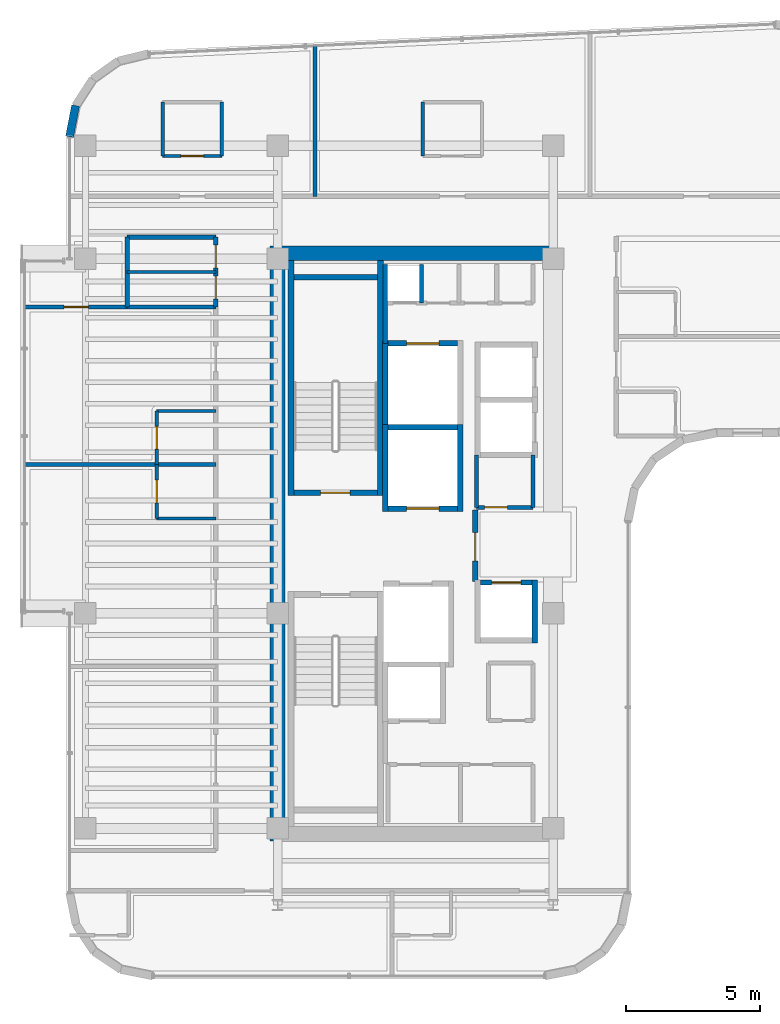
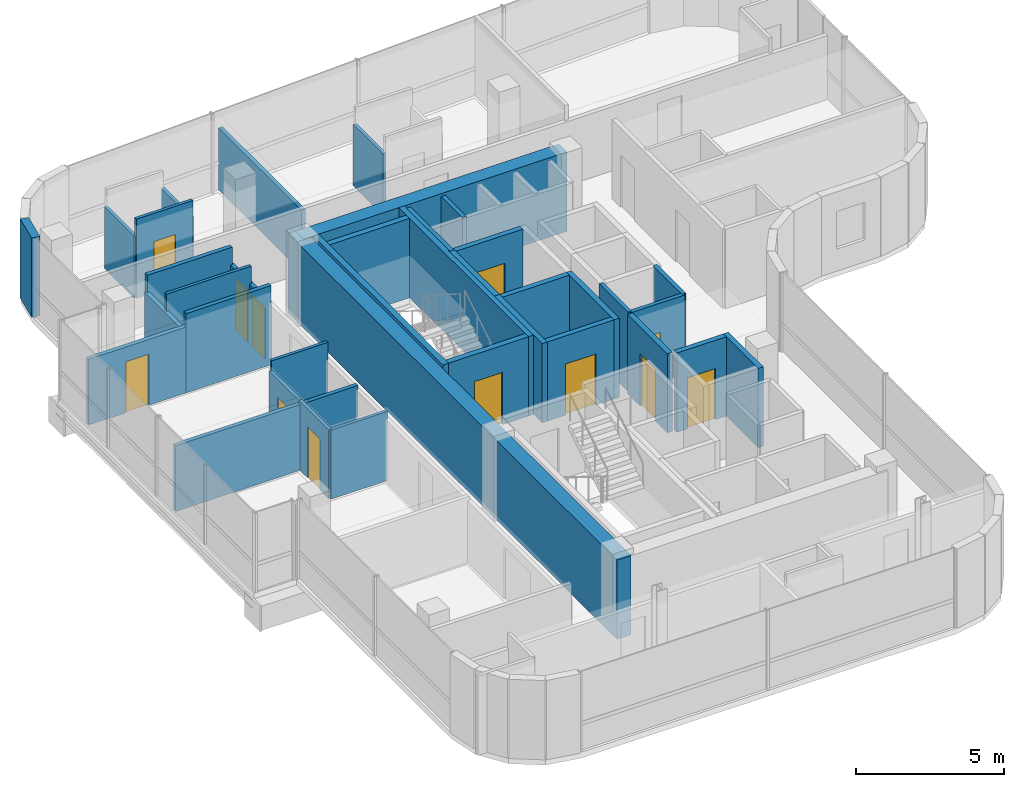
# One storey, part 15 of 20: 37 walls, 12 doors, 12 openings.
"""IFC4 building model written with IfcOpenShell, lengths in metres."""

from ifc_helpers import new_model, si_unit, direction, frame, frame_2d, origin, place, context, subcontext, project, spatial, rectangle, extrude, material, layer, layer_set, type_object, element, fill, save


model = new_model("IFC4")

# Units and contexts
model_context = context("Model", 3, precision=1e-05, world=origin(), true_north=direction((0.0, 1.0)))
body_context = subcontext(model_context, "Body", "Model", "MODEL_VIEW")
ifc_project = project(units=[si_unit("LENGTHUNIT", "METRE"), si_unit("AREAUNIT", "SQUARE_METRE"), si_unit("VOLUMEUNIT", "CUBIC_METRE"), si_unit("PLANEANGLEUNIT", "RADIAN"), si_unit("MASSUNIT", "GRAM", prefix="KILO")], contexts=[model_context])

# Site, building, storey
site_placement = place(None, origin())
site = spatial("IfcSite", under=ifc_project, at=site_placement, CompositionType="ELEMENT")
building_placement = place(site_placement, origin())
building = spatial("IfcBuilding", under=site, at=building_placement, Name="Valdorenza Pilgrim Sanctuary Tower", CompositionType="ELEMENT")
storey_placement = place(building_placement, frame((0.0, 0.0, 244.0)))
storey = spatial("IfcBuildingStorey", under=building, at=storey_placement, Name="L63", CompositionType="ELEMENT", Elevation=244.0)

# Walls
ifc_material_1 = material(Name="Acoustic twin-stud gypsum partition", Category="gypsum")
ifc_layer_1 = layer(ifc_material_1, 0.159912109375, Name="Acoustic twin-stud gypsum partition")
ifc_layer_set_1 = layer_set([ifc_layer_1], Name="Acoustic twin-stud gypsum partition")
wall_type_1 = type_object("IfcWallType", Name="WAL-COR-160", PredefinedType="PARTITIONING", material=ifc_layer_set_1)
wall_1_placement = place(storey_placement, frame((-18.64990234375, 7.449951171875, 0.0), z_axis=(0.0, 0.0, 1.0), x_axis=(0.0, 1.0, 0.0)))
element("IfcWall", 1, at=wall_1_placement, inside=storey, type_object=wall_type_1, Name="L63 Core A North Service West Wall", PredefinedType="PARTITIONING", context=body_context, shape_type="SweptSolid", body=[
    extrude(rectangle(XDim=2.929931640625, YDim=0.159912109375, at=frame_2d((1.46484375, 0.0))), origin(), (0.0, 0.0, 1.0), 3.260009765625),
])
wall_2_placement = place(storey_placement, frame((-17.300048828125, 8.949951171875, 0.0), z_axis=(0.0, 0.0, 1.0), x_axis=(0.0, 1.0, 0.0)))
element("IfcWall", 2, at=wall_2_placement, inside=storey, type_object=wall_type_1, Name="L63 Core Electrical Riser Wall", PredefinedType="PARTITIONING", context=body_context, shape_type="SweptSolid", body=[
    extrude(rectangle(XDim=1.429931640625, YDim=0.159912109375, at=frame_2d((0.71484375, 0.0))), origin(), (0.0, 0.0, 1.0), 3.260009765625),
])
wall_3_placement = place(storey_placement, frame((-13.14990234375, 1.35009765625, 0.0), z_axis=(0.0, 0.0, 1.0), x_axis=(0.0, 1.0, 0.0)))
element("IfcWall", 3, at=wall_3_placement, inside=storey, type_object=wall_type_1, Name="L63 Freed Shaft 6 East Wall", PredefinedType="PARTITIONING", context=body_context, shape_type="SweptSolid", body=[
    extrude(rectangle(XDim=1.949951171875, YDim=0.159912109375, at=frame_2d((0.97509765625, 0.0))), origin(), (0.0, 0.0, 1.0), 3.260009765625),
])
wall_4_placement = place(storey_placement, frame((-28.25, 8.800048828125, 0.0), z_axis=(0.0, 0.0, 1.0), x_axis=(0.0, 1.0, 0.0)))
element("IfcWall", 4, at=wall_4_placement, inside=storey, type_object=wall_type_1, Name="L63 Washroom West Wall", PredefinedType="PARTITIONING", context=body_context, shape_type="SweptSolid", body=[
    extrude(rectangle(XDim=2.599853515625, YDim=0.159912109375, at=frame_2d((1.2998046875, 0.0))), origin(), (0.0, 0.0, 1.0), 2.5439453125),
])

# Wall, openings, doors
wall_5_placement = place(storey_placement, frame((-24.949951171875, 8.800048828125, 0.0), z_axis=(0.0, 0.0, 1.0), x_axis=(0.0, 1.0, 0.0)))
wall_5 = element("IfcWall", 5, at=wall_5_placement, inside=storey, type_object=wall_type_1, Name="L63 Washroom East Wall", PredefinedType="PARTITIONING", context=body_context, shape_type="SweptSolid", body=[
    extrude(rectangle(XDim=2.599853515625, YDim=0.159912109375, at=frame_2d((1.2998046875, 0.0))), origin(), (0.0, 0.0, 1.0), 2.5439453125),
])
opening_1_placement = place(wall_5_placement, frame((0.300048828125, 0.0, 0.0)))
opening_1 = element("IfcOpeningElement", 6, at=opening_1_placement, cuts=wall_5, Name="Opening DR-WC1", PredefinedType="OPENING", context=body_context, shape_type="SweptSolid", body=[
    extrude(rectangle(XDim=0.85009765625, YDim=2.10009765625, at=frame_2d((0.425048828125, 1.050048828125))), frame((0.0, 0.0947265625, 0.0), z_axis=(0.0, -1.0, 0.0), x_axis=(1.0, 0.0, 0.0)), (0.0, 0.0, 1.0), 0.189697265625),
])
opening_2_placement = place(wall_5_placement, frame((1.449951171875, 0.0, 0.0)))
opening_2 = element("IfcOpeningElement", 7, at=opening_2_placement, cuts=wall_5, Name="Opening DR-WC1", PredefinedType="OPENING", context=body_context, shape_type="SweptSolid", body=[
    extrude(rectangle(XDim=0.85009765625, YDim=2.10009765625, at=frame_2d((0.425048828125, 1.050048828125))), frame((0.0, 0.0947265625, 0.0), z_axis=(0.0, -1.0, 0.0), x_axis=(1.0, 0.0, 0.0)), (0.0, 0.0, 1.0), 0.189697265625),
])
ifc_material_2 = material(Name="Moisture-resistant lacquered timber", Category="wood")
door_type_1 = type_object("IfcDoorType", Name="DR-BATH-850", OperationType="NOTDEFINED", PredefinedType="DOOR", material=ifc_material_2)
door_1_placement = place(opening_1_placement, origin())
door_1 = element("IfcDoor", 8, at=door_1_placement, inside=storey, type_object=door_type_1, Name="L63 Accessible Washroom Door", OperationType="SINGLE_SWING_LEFT", OverallHeight=2.10009765625, OverallWidth=0.85009765625, PredefinedType="DOOR", context=body_context, shape_type="SweptSolid", body=[
    extrude(rectangle(XDim=0.85009765625, YDim=2.10009765625, at=frame_2d((0.425048828125, 1.050048828125))), frame((0.0, 0.02490234375, 0.0), z_axis=(0.0, -1.0, 0.0), x_axis=(1.0, 0.0, 0.0)), (0.0, 0.0, 1.0), 0.050048828125),
])
fill(opening_1, door_1)
door_2_placement = place(opening_2_placement, origin())
door_2 = element("IfcDoor", 9, at=door_2_placement, inside=storey, type_object=door_type_1, Name="L63 Public Washroom Door", OperationType="SINGLE_SWING_RIGHT", OverallHeight=2.10009765625, OverallWidth=0.85009765625, PredefinedType="DOOR", context=body_context, shape_type="SweptSolid", body=[
    extrude(rectangle(XDim=0.85009765625, YDim=2.10009765625, at=frame_2d((0.425048828125, 1.050048828125))), frame((0.0, 0.02490234375, 0.0), z_axis=(0.0, -1.0, 0.0), x_axis=(1.0, 0.0, 0.0)), (0.0, 0.0, 1.0), 0.050048828125),
])
fill(opening_2, door_2)

# Walls
for number, where, z_axis, x_axis, name in (
    (10, (-28.25, 8.800048828125, 0.0), (0.0, 0.0, 1.0), (1.0, 0.0, 0.0), "L63 Washroom South Wall"),
    (11, (-28.25, 11.39990234375, 0.0), (0.0, 0.0, 1.0), (1.0, 0.0, 0.0), "L63 Washroom North Wall"),
):
    element("IfcWall", number, at=place(storey_placement, frame(where, z_axis=z_axis, x_axis=x_axis)), inside=storey, type_object=wall_type_1, Name=name, PredefinedType="PARTITIONING", context=body_context, shape_type="SweptSolid", body=[
        extrude(rectangle(XDim=3.300048828125, YDim=0.159912109375, at=frame_2d((1.64990234375, 0.0))), origin(), (0.0, 0.0, 1.0), 3.260009765625),
    ])

# Wall, opening, door
wall_6_placement = place(storey_placement, frame((-32.0400390625, 8.800048828125, 0.0), z_axis=(0.0, 0.0, 1.0), x_axis=(1.0, 0.0, 0.0)))
wall_6 = element("IfcWall", 12, at=wall_6_placement, inside=storey, type_object=wall_type_1, Name="L63 West North Alcove Wall", PredefinedType="PARTITIONING", context=body_context, shape_type="SweptSolid", body=[
    extrude(rectangle(XDim=3.7900390625, YDim=0.159912109375, at=frame_2d((1.89501953125, 0.0))), origin(), (0.0, 0.0, 1.0), 2.7060546875),
])
opening_3_placement = place(wall_6_placement, frame((1.445068359375, 0.0, 0.0)))
opening_3 = element("IfcOpeningElement", 13, at=opening_3_placement, cuts=wall_6, Name="Opening DR-RM1", PredefinedType="OPENING", context=body_context, shape_type="SweptSolid", body=[
    extrude(rectangle(XDim=0.89990234375, YDim=2.10009765625, at=frame_2d((0.449951171875, 1.050048828125))), frame((0.0, 0.0947265625, 0.0), z_axis=(0.0, -1.0, 0.0), x_axis=(1.0, 0.0, 0.0)), (0.0, 0.0, 1.0), 0.189697265625),
])
ifc_material_3 = material(Name="Solid-core European oak timber", Category="wood")
door_type_2 = type_object("IfcDoorType", Name="DR-ROOM-900", OperationType="NOTDEFINED", PredefinedType="DOOR", material=ifc_material_3)
door_3_placement = place(opening_3_placement, frame((0.89990234375, 0.0, 0.0), z_axis=(0.0, 0.0, 1.0), x_axis=(-1.0, 0.0, 0.0)))
door_3 = element("IfcDoor", 14, at=door_3_placement, inside=storey, type_object=door_type_2, Name="L63 Pilgrim Scholar Office L63-WN Door", OperationType="SINGLE_SWING_LEFT", OverallHeight=2.10009765625, OverallWidth=0.89990234375, PredefinedType="DOOR", context=body_context, shape_type="SweptSolid", body=[
    extrude(rectangle(XDim=0.89990234375, YDim=2.10009765625, at=frame_2d((0.449951171875, 1.050048828125))), frame((0.0, 0.02490234375, 0.0), z_axis=(0.0, -1.0, 0.0), x_axis=(1.0, 0.0, 0.0)), (0.0, 0.0, 1.0), 0.050048828125),
])
fill(opening_3, door_3)

# Walls
ifc_material_4 = material(Name="Concrete C50/60", Category="concrete")
ifc_layer_2 = layer(ifc_material_4, 0.550048828125, Name="Concrete C50/60")
ifc_layer_set_2 = layer_set([ifc_layer_2], Name="Concrete C50/60")
wall_type_2 = type_object("IfcWallType", Name="WAL-COR-550", PredefinedType="SHEAR", material=ifc_layer_set_2)
wall_7_placement = place(storey_placement, frame((-22.64990234375, -11.074951171875, 0.0), z_axis=(0.0, 0.0, 1.0), x_axis=(0.0, 1.0, 0.0)))
element("IfcWall", 15, at=wall_7_placement, inside=storey, type_object=wall_type_2, Name="L63 Split Core A Shear Wall W", PredefinedType="SHEAR", context=body_context, shape_type="SweptSolid", body=[
    extrude(rectangle(XDim=22.14990234375, YDim=0.550048828125, at=frame_2d((11.074951171875, 0.0))), origin(), (0.0, 0.0, 1.0), 3.260009765625),
])
wall_8_placement = place(storey_placement, frame((-22.64990234375, 10.800048828125, 0.0), z_axis=(0.0, 0.0, 1.0), x_axis=(1.0, 0.0, 0.0)))
element("IfcWall", 16, at=wall_8_placement, inside=storey, type_object=wall_type_2, Name="L63 Split Core A Shear Wall N", PredefinedType="SHEAR", context=body_context, shape_type="SweptSolid", body=[
    extrude(rectangle(XDim=10.25, YDim=0.550048828125, at=frame_2d((5.125, 0.0))), origin(), (0.0, 0.0, 1.0), 3.260009765625),
])
ifc_material_5 = material(Name="Honed travertine limestone", Category="masonry")
ifc_layer_3 = layer(ifc_material_5, 0.300048828125, Name="Honed travertine limestone")
ifc_layer_set_3 = layer_set([ifc_layer_3], Name="Honed travertine limestone")
wall_type_3 = type_object("IfcWallType", Name="WAL-EXT-300", PredefinedType="SOLIDWALL", material=ifc_layer_set_3)
wall_9_placement = place(storey_placement, frame((-30.389892578125, 15.13671875, 0.0), z_axis=(0.0, 0.0, 1.0), x_axis=(0.189307792679, 0.981917796779, 0.0)))
element("IfcWall", 17, at=wall_9_placement, inside=storey, type_object=wall_type_3, Name="L63 Rounded Wind-Corner Stone Pier 2", PredefinedType="SOLIDWALL", context=body_context, shape_type="SweptSolid", body=[
    extrude(rectangle(XDim=1.179931640625, YDim=0.300048828125, at=frame_2d((0.58984375, 0.0))), origin(), (0.0, 0.0, 1.0), 3.260009765625),
])

# Wall, opening, door
ifc_material_6 = material(Name="Gypsum shaftwall partition", Category="gypsum")
ifc_layer_4 = layer(ifc_material_6, 0.199951171875, Name="Gypsum shaftwall partition")
ifc_layer_set_4 = layer_set([ifc_layer_4], Name="Gypsum shaftwall partition")
wall_type_4 = type_object("IfcWallType", Name="WAL-FFL-200", PredefinedType="PARTITIONING", material=ifc_layer_set_4)
wall_10_placement = place(storey_placement, frame((-15.300048828125, -1.419921875, 0.0), z_axis=(0.0, 0.0, 1.0), x_axis=(0.0, 1.0, 0.0)))
wall_10 = element("IfcWall", 18, at=wall_10_placement, inside=storey, type_object=wall_type_4, Name="L63 Core A Firefighting Lobby East Wall", PredefinedType="PARTITIONING", context=body_context, shape_type="SweptSolid", body=[
    extrude(rectangle(XDim=2.669921875, YDim=0.199951171875, at=frame_2d((1.3349609375, 0.0))), origin(), (0.0, 0.0, 1.0), 3.260009765625),
])
opening_4_placement = place(wall_10_placement, frame((0.780029296875, 0.0, 0.0)))
opening_4 = element("IfcOpeningElement", 19, at=opening_4_placement, cuts=wall_10, Name="Opening DR-FL1", PredefinedType="OPENING", context=body_context, shape_type="SweptSolid", body=[
    extrude(rectangle(XDim=1.050048828125, YDim=2.14990234375, at=frame_2d((0.52490234375, 1.074951171875))), frame((0.0, 0.11474609375, 0.0), z_axis=(0.0, -1.0, 0.0), x_axis=(1.0, 0.0, 0.0)), (0.0, 0.0, 1.0), 0.229736328125),
])
ifc_material_7 = material(Name="Painted galvanized steel", Category="steel")
door_type_3 = type_object("IfcDoorType", Name="DR-FFL-1050", OperationType="NOTDEFINED", PredefinedType="DOOR", material=ifc_material_7)
door_4_placement = place(opening_4_placement, origin())
door_4 = element("IfcDoor", 20, at=door_4_placement, inside=storey, type_object=door_type_3, Name="L63 Core A Firefighting Lobby Door", OperationType="SINGLE_SWING_RIGHT", OverallHeight=2.14990234375, OverallWidth=1.050048828125, PredefinedType="DOOR", context=body_context, shape_type="SweptSolid", body=[
    extrude(rectangle(XDim=1.050048828125, YDim=2.14990234375, at=frame_2d((0.52490234375, 1.074951171875))), frame((0.0, 0.02490234375, 0.0), z_axis=(0.0, -1.0, 0.0), x_axis=(1.0, 0.0, 0.0)), (0.0, 0.0, 1.0), 0.050048828125),
])
fill(opening_4, door_4)

# Walls
ifc_material_8 = material(Name="Moisture-resistant gypsum partition", Category="gypsum")
ifc_layer_5 = layer(ifc_material_8, 0.1201171875, Name="Moisture-resistant gypsum partition")
ifc_layer_set_5 = layer_set([ifc_layer_5], Name="Moisture-resistant gypsum partition")
wall_type_5 = type_object("IfcWallType", Name="WAL-INT-120", PredefinedType="PARTITIONING", material=ifc_layer_set_5)
wall_11_placement = place(storey_placement, frame((-28.25, 10.10009765625, 0.0), z_axis=(0.0, 0.0, 1.0), x_axis=(1.0, 0.0, 0.0)))
element("IfcWall", 21, at=wall_11_placement, inside=storey, type_object=wall_type_5, Name="L63 Washroom Divider Wall", PredefinedType="PARTITIONING", context=body_context, shape_type="SweptSolid", body=[
    extrude(rectangle(XDim=3.300048828125, YDim=0.1201171875, at=frame_2d((1.64990234375, 0.0))), origin(), (0.0, 0.0, 1.0), 3.260009765625),
])
wall_12_placement = place(storey_placement, frame((-27.14990234375, 0.93603515625, 0.0), z_axis=(0.0, 0.0, 1.0), x_axis=(1.0, 0.0, 0.0)))
element("IfcWall", 22, at=wall_12_placement, inside=storey, type_object=wall_type_5, Name="L63 Pilgrim Guest Room L63-HW1 En-suite South Wall", PredefinedType="PARTITIONING", context=body_context, shape_type="SweptSolid", body=[
    extrude(rectangle(XDim=2.199951171875, YDim=0.1201171875, at=frame_2d((1.10009765625, 0.0))), origin(), (0.0, 0.0, 1.0), 2.839111328125),
])

# Wall, opening, door
wall_13_placement = place(storey_placement, frame((-27.14990234375, 0.93603515625, 0.0), z_axis=(0.0, 0.0, 1.0), x_axis=(0.0, 1.0, 0.0)))
wall_13 = element("IfcWall", 23, at=wall_13_placement, inside=storey, type_object=wall_type_5, Name="L63 Pilgrim Guest Room L63-HW1 En-suite Door Wall", PredefinedType="PARTITIONING", context=body_context, shape_type="SweptSolid", body=[
    extrude(rectangle(XDim=2.0, YDim=0.1201171875, at=frame_2d((1.0, 0.0))), origin(), (0.0, 0.0, 1.0), 2.839111328125),
])
opening_5_placement = place(wall_13_placement, frame((0.574951171875, 0.0, 0.0)))
opening_5 = element("IfcOpeningElement", 24, at=opening_5_placement, cuts=wall_13, Name="Opening DR-WC1", PredefinedType="OPENING", context=body_context, shape_type="SweptSolid", body=[
    extrude(rectangle(XDim=0.85009765625, YDim=2.10009765625, at=frame_2d((0.425048828125, 1.050048828125))), frame((0.0, 0.074951171875, 0.0), z_axis=(0.0, -1.0, 0.0), x_axis=(1.0, 0.0, 0.0)), (0.0, 0.0, 1.0), 0.14990234375),
])
door_5_placement = place(opening_5_placement, origin())
door_5 = element("IfcDoor", 25, at=door_5_placement, inside=storey, type_object=door_type_1, Name="L63 Pilgrim Guest Room L63-HW1 En-suite Bathroom Door", OperationType="SINGLE_SWING_RIGHT", OverallHeight=2.10009765625, OverallWidth=0.85009765625, PredefinedType="DOOR", context=body_context, shape_type="SweptSolid", body=[
    extrude(rectangle(XDim=0.85009765625, YDim=2.10009765625, at=frame_2d((0.425048828125, 1.050048828125))), frame((0.0, 0.02490234375, 0.0), z_axis=(0.0, -1.0, 0.0), x_axis=(1.0, 0.0, 0.0)), (0.0, 0.0, 1.0), 0.050048828125),
])
fill(opening_5, door_5)

# Wall
wall_14_placement = place(storey_placement, frame((-27.14990234375, 4.93603515625, 0.0), z_axis=(0.0, 0.0, 1.0), x_axis=(1.0, 0.0, 0.0)))
element("IfcWall", 26, at=wall_14_placement, inside=storey, type_object=wall_type_5, Name="L63 Pilgrim Guest Room L63-HW2 En-suite North Wall", PredefinedType="PARTITIONING", context=body_context, shape_type="SweptSolid", body=[
    extrude(rectangle(XDim=2.199951171875, YDim=0.1201171875, at=frame_2d((1.10009765625, 0.0))), origin(), (0.0, 0.0, 1.0), 3.260009765625),
])

# Wall, opening, door
wall_15_placement = place(storey_placement, frame((-27.14990234375, 2.93603515625, 0.0), z_axis=(0.0, 0.0, 1.0), x_axis=(0.0, 1.0, 0.0)))
wall_15 = element("IfcWall", 27, at=wall_15_placement, inside=storey, type_object=wall_type_5, Name="L63 Pilgrim Guest Room L63-HW2 En-suite Door Wall", PredefinedType="PARTITIONING", context=body_context, shape_type="SweptSolid", body=[
    extrude(rectangle(XDim=2.0, YDim=0.1201171875, at=frame_2d((1.0, 0.0))), origin(), (0.0, 0.0, 1.0), 2.839111328125),
])
opening_6_placement = place(wall_15_placement, frame((0.574951171875, 0.0, 0.0)))
opening_6 = element("IfcOpeningElement", 28, at=opening_6_placement, cuts=wall_15, Name="Opening DR-WC1", PredefinedType="OPENING", context=body_context, shape_type="SweptSolid", body=[
    extrude(rectangle(XDim=0.85009765625, YDim=2.10009765625, at=frame_2d((0.425048828125, 1.050048828125))), frame((0.0, 0.074951171875, 0.0), z_axis=(0.0, -1.0, 0.0), x_axis=(1.0, 0.0, 0.0)), (0.0, 0.0, 1.0), 0.14990234375),
])
door_6_placement = place(opening_6_placement, origin())
door_6 = element("IfcDoor", 29, at=door_6_placement, inside=storey, type_object=door_type_1, Name="L63 Pilgrim Guest Room L63-HW2 En-suite Bathroom Door", OperationType="SINGLE_SWING_RIGHT", OverallHeight=2.10009765625, OverallWidth=0.85009765625, PredefinedType="DOOR", context=body_context, shape_type="SweptSolid", body=[
    extrude(rectangle(XDim=0.85009765625, YDim=2.10009765625, at=frame_2d((0.425048828125, 1.050048828125))), frame((0.0, 0.02490234375, 0.0), z_axis=(0.0, -1.0, 0.0), x_axis=(1.0, 0.0, 0.0)), (0.0, 0.0, 1.0), 0.050048828125),
])
fill(opening_6, door_6)

# Walls
for number, where, z_axis, x_axis, name in (
    (30, (-26.928466796875, 14.419921875, 0.0), (0.0, 0.0, 1.0), (0.0, 1.0, 0.0), "L63 North Guest Room L63-N1 En-suite West Wall"),
    (31, (-24.728515625, 14.419921875, 0.0), (0.0, 0.0, 1.0), (0.0, 1.0, 0.0), "L63 North Guest Room L63-N1 En-suite East Wall"),
):
    element("IfcWall", number, at=place(storey_placement, frame(where, z_axis=z_axis, x_axis=x_axis)), inside=storey, type_object=wall_type_5, Name=name, PredefinedType="PARTITIONING", context=body_context, shape_type="SweptSolid", body=[
        extrude(rectangle(XDim=2.0, YDim=0.1201171875, at=frame_2d((1.0, 0.0))), origin(), (0.0, 0.0, 1.0), 2.5439453125),
    ])

# Wall, opening, door
wall_16_placement = place(storey_placement, frame((-26.928466796875, 14.419921875, 0.0), z_axis=(0.0, 0.0, 1.0), x_axis=(1.0, 0.0, 0.0)))
wall_16 = element("IfcWall", 32, at=wall_16_placement, inside=storey, type_object=wall_type_5, Name="L63 North Guest Room L63-N1 En-suite Door Wall", PredefinedType="PARTITIONING", context=body_context, shape_type="SweptSolid", body=[
    extrude(rectangle(XDim=2.199951171875, YDim=0.1201171875, at=frame_2d((1.10009765625, 0.0))), origin(), (0.0, 0.0, 1.0), 3.260009765625),
])
opening_7_placement = place(wall_16_placement, frame((0.675048828125, 0.0, 0.0)))
opening_7 = element("IfcOpeningElement", 33, at=opening_7_placement, cuts=wall_16, Name="Opening DR-WC1", PredefinedType="OPENING", context=body_context, shape_type="SweptSolid", body=[
    extrude(rectangle(XDim=0.85009765625, YDim=2.10009765625, at=frame_2d((0.425048828125, 1.050048828125))), frame((0.0, 0.074951171875, 0.0), z_axis=(0.0, -1.0, 0.0), x_axis=(1.0, 0.0, 0.0)), (0.0, 0.0, 1.0), 0.14990234375),
])
door_7_placement = place(opening_7_placement, origin())
door_7 = element("IfcDoor", 34, at=door_7_placement, inside=storey, type_object=door_type_1, Name="L63 North Guest Room L63-N1 En-suite Bathroom Door", OperationType="SINGLE_SWING_RIGHT", OverallHeight=2.10009765625, OverallWidth=0.85009765625, PredefinedType="DOOR", context=body_context, shape_type="SweptSolid", body=[
    extrude(rectangle(XDim=0.85009765625, YDim=2.10009765625, at=frame_2d((0.425048828125, 1.050048828125))), frame((0.0, 0.02490234375, 0.0), z_axis=(0.0, -1.0, 0.0), x_axis=(1.0, 0.0, 0.0)), (0.0, 0.0, 1.0), 0.050048828125),
])
fill(opening_7, door_7)

# Walls
wall_17_placement = place(storey_placement, frame((-17.25, 14.419921875, 0.0), z_axis=(0.0, 0.0, 1.0), x_axis=(0.0, 1.0, 0.0)))
element("IfcWall", 35, at=wall_17_placement, inside=storey, type_object=wall_type_5, Name="L63 North Guest Room L63-N2 En-suite West Wall", PredefinedType="PARTITIONING", context=body_context, shape_type="SweptSolid", body=[
    extrude(rectangle(XDim=2.0, YDim=0.1201171875, at=frame_2d((1.0, 0.0))), origin(), (0.0, 0.0, 1.0), 2.5439453125),
])
ifc_material_9 = material(Name="Autoclaved aerated concrete blockwork", Category="masonry")
ifc_layer_6 = layer(ifc_material_9, 0.199951171875, Name="Autoclaved aerated concrete blockwork")
ifc_layer_set_6 = layer_set([ifc_layer_6], Name="Autoclaved aerated concrete blockwork")
wall_type_6 = type_object("IfcWallType", Name="WAL-SHF-200", PredefinedType="MOVABLE", material=ifc_layer_set_6)
for number, where, z_axis, x_axis, name in (
    (36, (-18.64990234375, 1.199951171875, 0.0), (0.0, 0.0, 1.0), (0.0, 1.0, 0.0), "L63 Lift FFL-01 Hoistway Wall West"),
    (37, (-15.85009765625, 1.199951171875, 0.0), (0.0, 0.0, 1.0), (0.0, 1.0, 0.0), "L63 Lift FFL-01 Hoistway Wall East"),
):
    element("IfcWall", number, at=place(storey_placement, frame(where, z_axis=z_axis, x_axis=x_axis)), inside=storey, type_object=wall_type_6, Name=name, PredefinedType="MOVABLE", context=body_context, shape_type="SweptSolid", body=[
        extrude(rectangle(XDim=3.22509765625, YDim=0.199951171875, at=frame_2d((1.612548828125, 0.0))), origin(), (0.0, 0.0, 1.0), 3.260009765625),
    ])

# Wall, opening, door
wall_18_placement = place(storey_placement, frame((-18.550048828125, 1.300048828125, 0.0), z_axis=(0.0, 0.0, 1.0), x_axis=(1.0, 0.0, 0.0)))
wall_18 = element("IfcWall", 38, at=wall_18_placement, inside=storey, type_object=wall_type_6, Name="L63 Lift FFL-01 Hoistway Wall South", PredefinedType="MOVABLE", context=body_context, shape_type="SweptSolid", body=[
    extrude(rectangle(XDim=2.60009765625, YDim=0.199951171875, at=frame_2d((1.300048828125, 0.0))), origin(), (0.0, 0.0, 1.0), 3.260009765625),
])
opening_8_placement = place(wall_18_placement, frame((0.699951171875, 0.0, 0.0)))
opening_8 = element("IfcOpeningElement", 39, at=opening_8_placement, cuts=wall_18, Name="Opening LD-02", PredefinedType="OPENING", context=body_context, shape_type="SweptSolid", body=[
    extrude(rectangle(XDim=1.199951171875, YDim=2.10009765625, at=frame_2d((0.60009765625, 1.050048828125))), frame((0.0, 0.11474609375, 0.0), z_axis=(0.0, -1.0, 0.0), x_axis=(1.0, 0.0, 0.0)), (0.0, 0.0, 1.0), 0.229736328125),
])
ifc_material_10 = material(Name="Brushed stainless steel Grade 316", Category="steel")
door_type_4 = type_object("IfcDoorType", Name="DR-LFT-1200", OperationType="DOUBLE_DOOR_SLIDING", PredefinedType="DOOR", material=ifc_material_10)
door_8_placement = place(opening_8_placement, origin())
door_8 = element("IfcDoor", 40, at=door_8_placement, inside=storey, type_object=door_type_4, Name="L63 Lift FFL-01 Sliding Landing Door", OperationType="DOUBLE_DOOR_SLIDING", OverallHeight=2.10009765625, OverallWidth=1.199951171875, PredefinedType="DOOR", context=body_context, shape_type="SweptSolid", body=[
    extrude(rectangle(XDim=1.199951171875, YDim=2.10009765625, at=frame_2d((0.60009765625, 1.050048828125))), frame((0.0, 0.02490234375, 0.0), z_axis=(0.0, -1.0, 0.0), x_axis=(1.0, 0.0, 0.0)), (0.0, 0.0, 1.0), 0.050048828125),
])
fill(opening_8, door_8)

# Walls
wall_19_placement = place(storey_placement, frame((-18.550048828125, 4.324951171875, 0.0), z_axis=(0.0, 0.0, 1.0), x_axis=(1.0, 0.0, 0.0)))
element("IfcWall", 41, at=wall_19_placement, inside=storey, type_object=wall_type_6, Name="L63 Lift FFL-01 Hoistway Wall North", PredefinedType="MOVABLE", context=body_context, shape_type="SweptSolid", body=[
    extrude(rectangle(XDim=2.60009765625, YDim=0.199951171875, at=frame_2d((1.300048828125, 0.0))), origin(), (0.0, 0.0, 1.0), 3.260009765625),
])
wall_20_placement = place(storey_placement, frame((-18.64990234375, 4.22509765625, 0.0), z_axis=(0.0, 0.0, 1.0), x_axis=(0.0, 1.0, 0.0)))
element("IfcWall", 42, at=wall_20_placement, inside=storey, type_object=wall_type_6, Name="L63 Lift SVL-01 Hoistway Wall West", PredefinedType="MOVABLE", context=body_context, shape_type="SweptSolid", body=[
    extrude(rectangle(XDim=3.324951171875, YDim=0.199951171875, at=frame_2d((1.66259765625, 0.0))), origin(), (0.0, 0.0, 1.0), 3.260009765625),
])

# Wall, opening, door
wall_21_placement = place(storey_placement, frame((-18.550048828125, 7.449951171875, 0.0), z_axis=(0.0, 0.0, 1.0), x_axis=(1.0, 0.0, 0.0)))
wall_21 = element("IfcWall", 43, at=wall_21_placement, inside=storey, type_object=wall_type_6, Name="L63 Lift SVL-01 Hoistway Wall North", PredefinedType="MOVABLE", context=body_context, shape_type="SweptSolid", body=[
    extrude(rectangle(XDim=2.60009765625, YDim=0.199951171875, at=frame_2d((1.300048828125, 0.0))), origin(), (0.0, 0.0, 1.0), 3.260009765625),
])
opening_9_placement = place(wall_21_placement, frame((0.699951171875, 0.0, 0.0)))
opening_9 = element("IfcOpeningElement", 44, at=opening_9_placement, cuts=wall_21, Name="Opening LD-02", PredefinedType="OPENING", context=body_context, shape_type="SweptSolid", body=[
    extrude(rectangle(XDim=1.199951171875, YDim=2.10009765625, at=frame_2d((0.60009765625, 1.050048828125))), frame((0.0, 0.11474609375, 0.0), z_axis=(0.0, -1.0, 0.0), x_axis=(1.0, 0.0, 0.0)), (0.0, 0.0, 1.0), 0.229736328125),
])
door_9_placement = place(opening_9_placement, origin())
door_9 = element("IfcDoor", 45, at=door_9_placement, inside=storey, type_object=door_type_4, Name="L63 Lift SVL-01 Sliding Landing Door", OperationType="DOUBLE_DOOR_SLIDING", OverallHeight=2.10009765625, OverallWidth=1.199951171875, PredefinedType="DOOR", context=body_context, shape_type="SweptSolid", body=[
    extrude(rectangle(XDim=1.199951171875, YDim=2.10009765625, at=frame_2d((0.60009765625, 1.050048828125))), frame((0.0, 0.02490234375, 0.0), z_axis=(0.0, -1.0, 0.0), x_axis=(1.0, 0.0, 0.0)), (0.0, 0.0, 1.0), 0.050048828125),
])
fill(opening_9, door_9)

# Wall
wall_22_placement = place(storey_placement, frame((-13.080078125, -3.699951171875, 0.0), z_axis=(0.0, 0.0, 1.0), x_axis=(0.0, 1.0, 0.0)))
element("IfcWall", 46, at=wall_22_placement, inside=storey, type_object=wall_type_6, Name="L63 Lift PL-12 Hoistway Wall East", PredefinedType="MOVABLE", context=body_context, shape_type="SweptSolid", body=[
    extrude(rectangle(XDim=2.349853515625, YDim=0.199951171875, at=frame_2d((1.1748046875, 0.0))), origin(), (0.0, 0.0, 1.0), 3.260009765625),
])

# Wall, opening, door
wall_23_placement = place(storey_placement, frame((-15.10009765625, -1.449951171875, 0.0), z_axis=(0.0, 0.0, 1.0), x_axis=(1.0, 0.0, 0.0)))
wall_23 = element("IfcWall", 47, at=wall_23_placement, inside=storey, type_object=wall_type_6, Name="L63 Lift PL-12 Hoistway Wall North", PredefinedType="MOVABLE", context=body_context, shape_type="SweptSolid", body=[
    extrude(rectangle(XDim=1.920166015625, YDim=0.199951171875, at=frame_2d((0.9599609375, 0.0))), origin(), (0.0, 0.0, 1.0), 3.260009765625),
])
opening_10_placement = place(wall_23_placement, frame((0.409912109375, 0.0, 0.0)))
opening_10 = element("IfcOpeningElement", 48, at=opening_10_placement, cuts=wall_23, Name="Opening LD-01", PredefinedType="OPENING", context=body_context, shape_type="SweptSolid", body=[
    extrude(rectangle(XDim=1.10009765625, YDim=2.10009765625, at=frame_2d((0.550048828125, 1.050048828125))), frame((0.0, 0.11474609375, 0.0), z_axis=(0.0, -1.0, 0.0), x_axis=(1.0, 0.0, 0.0)), (0.0, 0.0, 1.0), 0.229736328125),
])
door_type_5 = type_object("IfcDoorType", Name="DR-LFT-1100", OperationType="DOUBLE_DOOR_SLIDING", PredefinedType="DOOR", material=ifc_material_10)
door_10_placement = place(opening_10_placement, origin())
door_10 = element("IfcDoor", 49, at=door_10_placement, inside=storey, type_object=door_type_5, Name="L63 Lift PL-12 Sliding Landing Door", OperationType="DOUBLE_DOOR_SLIDING", OverallHeight=2.10009765625, OverallWidth=1.10009765625, PredefinedType="DOOR", context=body_context, shape_type="SweptSolid", body=[
    extrude(rectangle(XDim=1.10009765625, YDim=2.10009765625, at=frame_2d((0.550048828125, 1.050048828125))), frame((0.0, 0.02490234375, 0.0), z_axis=(0.0, -1.0, 0.0), x_axis=(1.0, 0.0, 0.0)), (0.0, 0.0, 1.0), 0.050048828125),
])
fill(opening_10, door_10)

# Walls
ifc_material_11 = material(Name="Concrete C40/50", Category="concrete")
ifc_layer_7 = layer(ifc_material_11, 0.219970703125, Name="Concrete C40/50")
ifc_layer_set_7 = layer_set([ifc_layer_7], Name="Concrete C40/50")
wall_type_7 = type_object("IfcWallType", Name="WAL-STR-SHF-220", PredefinedType="SHEAR", material=ifc_layer_set_7)
for number, where, z_axis, x_axis, name in (
    (50, (-22.159912109375, 1.780029296875, 0.0), (0.0, 0.0, 1.0), (0.0, 1.0, 0.0), "L63 ST-A1 Structural Stairwell Wall W"),
    (51, (-18.830078125, 1.780029296875, 0.0), (0.0, 0.0, 1.0), (0.0, 1.0, 0.0), "L63 ST-A1 Structural Stairwell Wall E"),
):
    element("IfcWall", number, at=place(storey_placement, frame(where, z_axis=z_axis, x_axis=x_axis)), inside=storey, type_object=wall_type_7, Name=name, PredefinedType="SHEAR", context=body_context, shape_type="SweptSolid", body=[
        extrude(rectangle(XDim=8.744873046875, YDim=0.219970703125, at=frame_2d((4.37255859375, 0.0))), origin(), (0.0, 0.0, 1.0), 3.260009765625),
    ])

# Wall, opening, door
wall_24_placement = place(storey_placement, frame((-22.050048828125, 1.889892578125, 0.0), z_axis=(0.0, 0.0, 1.0), x_axis=(1.0, 0.0, 0.0)))
wall_24 = element("IfcWall", 52, at=wall_24_placement, inside=storey, type_object=wall_type_7, Name="L63 ST-A1 Structural Stairwell Wall S", PredefinedType="SHEAR", context=body_context, shape_type="SweptSolid", body=[
    extrude(rectangle(XDim=3.110107421875, YDim=0.219970703125, at=frame_2d((1.55517578125, 0.0))), origin(), (0.0, 0.0, 1.0), 3.260009765625),
])
opening_11_placement = place(wall_24_placement, frame((1.0, 0.0, 0.0)))
opening_11 = element("IfcOpeningElement", 53, at=opening_11_placement, cuts=wall_24, Name="Opening DR-ST1", PredefinedType="OPENING", context=body_context, shape_type="SweptSolid", body=[
    extrude(rectangle(XDim=1.10009765625, YDim=2.14990234375, at=frame_2d((0.550048828125, 1.074951171875))), frame((0.0, 0.125, 0.0), z_axis=(0.0, -1.0, 0.0), x_axis=(1.0, 0.0, 0.0)), (0.0, 0.0, 1.0), 0.249755859375),
])
door_type_6 = type_object("IfcDoorType", Name="DR-STAIR-1100", OperationType="NOTDEFINED", PredefinedType="DOOR", material=ifc_material_7)
door_11_placement = place(opening_11_placement, frame((1.10009765625, 0.0, 0.0), z_axis=(0.0, 0.0, 1.0), x_axis=(-1.0, 0.0, 0.0)))
door_11 = element("IfcDoor", 54, at=door_11_placement, inside=storey, type_object=door_type_6, Name="L63 Exit Stair ST-A1 Door", OperationType="SINGLE_SWING_LEFT", OverallHeight=2.14990234375, OverallWidth=1.10009765625, PredefinedType="DOOR", context=body_context, shape_type="SweptSolid", body=[
    extrude(rectangle(XDim=1.10009765625, YDim=2.14990234375, at=frame_2d((0.550048828125, 1.074951171875))), frame((0.0, 0.02490234375, 0.0), z_axis=(0.0, -1.0, 0.0), x_axis=(1.0, 0.0, 0.0)), (0.0, 0.0, 1.0), 0.050048828125),
])
fill(opening_11, door_11)

# Walls
wall_25_placement = place(storey_placement, frame((-22.050048828125, 9.909912109375, 0.0), z_axis=(0.0, 0.0, 1.0), x_axis=(1.0, 0.0, 0.0)))
element("IfcWall", 55, at=wall_25_placement, inside=storey, type_object=wall_type_7, Name="L63 ST-A1 Structural Stairwell Wall N", PredefinedType="SHEAR", context=body_context, shape_type="SweptSolid", body=[
    extrude(rectangle(XDim=3.110107421875, YDim=0.219970703125, at=frame_2d((1.55517578125, 0.0))), origin(), (0.0, 0.0, 1.0), 3.260009765625),
])
ifc_layer_8 = layer(ifc_material_1, 0.14990234375, Name="Acoustic twin-stud gypsum partition")
ifc_layer_set_8 = layer_set([ifc_layer_8], Name="Acoustic twin-stud gypsum partition")
wall_type_8 = type_object("IfcWallType", Name="WAL-UNT-150", PredefinedType="PARTITIONING", material=ifc_layer_set_8)
wall_26_placement = place(storey_placement, frame((-15.25, 1.35009765625, 0.0), z_axis=(0.0, 0.0, 1.0), x_axis=(0.0, 1.0, 0.0)))
element("IfcWall", 56, at=wall_26_placement, inside=storey, type_object=wall_type_8, Name="L63 Freed Shaft 6 West Wall", PredefinedType="PARTITIONING", context=body_context, shape_type="SweptSolid", body=[
    extrude(rectangle(XDim=1.949951171875, YDim=0.14990234375, at=frame_2d((0.97509765625, 0.0))), origin(), (0.0, 0.0, 1.0), 3.260009765625),
])

# Wall, opening, door
wall_27_placement = place(storey_placement, frame((-15.25, 1.35009765625, 0.0), z_axis=(0.0, 0.0, 1.0), x_axis=(1.0, 0.0, 0.0)))
wall_27 = element("IfcWall", 57, at=wall_27_placement, inside=storey, type_object=wall_type_8, Name="L63 Freed Shaft 6 South Wall", PredefinedType="PARTITIONING", context=body_context, shape_type="SweptSolid", body=[
    extrude(rectangle(XDim=2.10009765625, YDim=0.14990234375, at=frame_2d((1.050048828125, 0.0))), origin(), (0.0, 0.0, 1.0), 3.260009765625),
])
opening_12_placement = place(wall_27_placement, frame((0.300048828125, 0.0, 0.0)))
opening_12 = element("IfcOpeningElement", 58, at=opening_12_placement, cuts=wall_27, Name="Opening DR-RS1", PredefinedType="OPENING", context=body_context, shape_type="SweptSolid", body=[
    extrude(rectangle(XDim=0.85009765625, YDim=2.050048828125, at=frame_2d((0.425048828125, 1.02490234375))), frame((0.0, 0.08984375, 0.0), z_axis=(0.0, -1.0, 0.0), x_axis=(1.0, 0.0, 0.0)), (0.0, 0.0, 1.0), 0.1796875),
])
door_type_7 = type_object("IfcDoorType", Name="DR-RSR-850", OperationType="NOTDEFINED", PredefinedType="DOOR", material=ifc_material_7)
door_12_placement = place(opening_12_placement, origin())
door_12 = element("IfcDoor", 59, at=door_12_placement, inside=storey, type_object=door_type_7, Name="L63 High-Rise Butler Pantry Door", OperationType="SINGLE_SWING_RIGHT", OverallHeight=2.050048828125, OverallWidth=0.85009765625, PredefinedType="DOOR", context=body_context, shape_type="SweptSolid", body=[
    extrude(rectangle(XDim=0.85009765625, YDim=2.050048828125, at=frame_2d((0.425048828125, 1.02490234375))), frame((0.0, 0.02490234375, 0.0), z_axis=(0.0, -1.0, 0.0), x_axis=(1.0, 0.0, 0.0)), (0.0, 0.0, 1.0), 0.050048828125),
])
fill(opening_12, door_12)

# Walls
wall_28_placement = place(storey_placement, frame((-32.0400390625, 2.93603515625, 0.0), z_axis=(0.0, 0.0, 1.0), x_axis=(1.0, 0.0, 0.0)))
element("IfcWall", 60, at=wall_28_placement, inside=storey, type_object=wall_type_8, Name="L63 West Class Split 2", PredefinedType="PARTITIONING", context=body_context, shape_type="SweptSolid", body=[
    extrude(rectangle(XDim=7.090087890625, YDim=0.14990234375, at=frame_2d((3.544921875, 0.0))), origin(), (0.0, 0.0, 1.0), 2.7060546875),
])
wall_29_placement = place(storey_placement, frame((-21.26708984375, 12.919921875, 0.0), z_axis=(0.0, 0.0, 1.0), x_axis=(0.0, 1.0, 0.0)))
element("IfcWall", 61, at=wall_29_placement, inside=storey, type_object=wall_type_8, Name="L63 North Demising 1", PredefinedType="PARTITIONING", context=body_context, shape_type="SweptSolid", body=[
    extrude(rectangle(XDim=5.605224609375, YDim=0.14990234375, at=frame_2d((2.802734375, 0.0))), origin(), (0.0, 0.0, 1.0), 2.5439453125),
])

save(model, "model.ifc")
